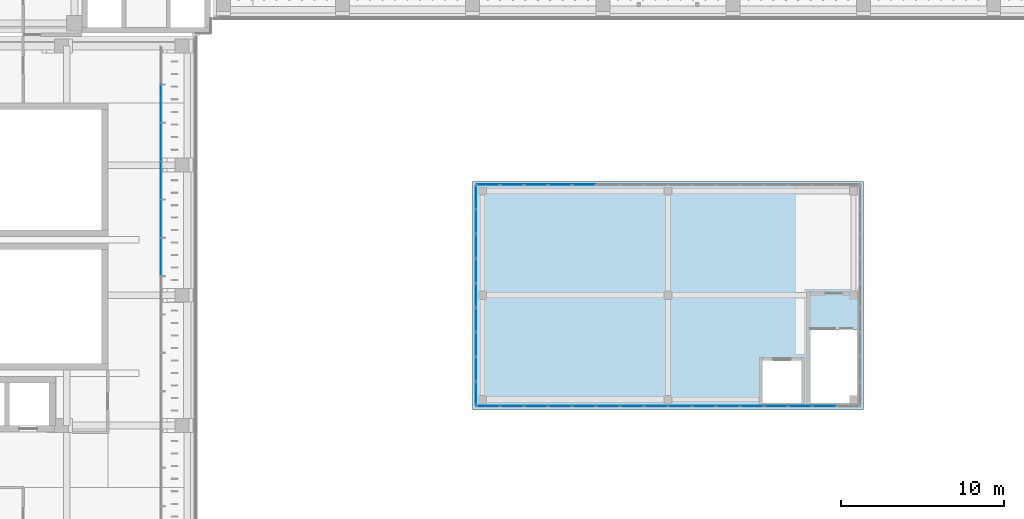
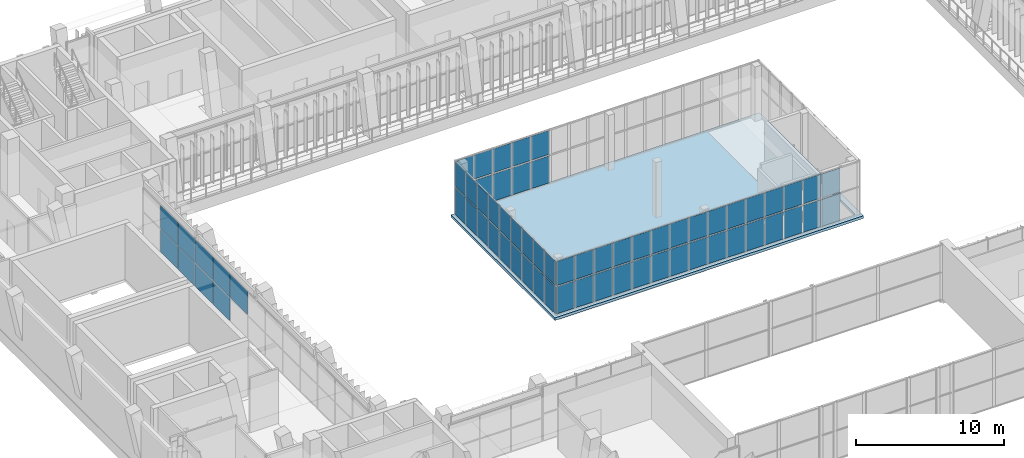
# One storey, part 54 of 92: 67 plates, 1 slab, 4 elements without a shape of their own.
"""IFC4 building model written with IfcOpenShell, lengths in metres."""

from ifc_helpers import new_model, si_unit, direction, frame, origin, origin_2d, place, context, subcontext, project, spatial, polyline, rectangle, outline, extrude, material, layer, layer_set, type_object, element, aggregate, save


model = new_model("IFC4")

# Units and contexts
model_context = context("Model", 3, precision=1e-05, world=origin(), true_north=direction((0.0, 1.0)))
body_context = subcontext(model_context, "Body", "Model", "MODEL_VIEW")
ifc_project = project(units=[si_unit("LENGTHUNIT", "METRE"), si_unit("AREAUNIT", "SQUARE_METRE"), si_unit("VOLUMEUNIT", "CUBIC_METRE"), si_unit("PLANEANGLEUNIT", "RADIAN"), si_unit("MASSUNIT", "GRAM", prefix="KILO")], contexts=[model_context])

# Site, building, storey
site_placement = place(None, origin())
site = spatial("IfcSite", under=ifc_project, at=site_placement, CompositionType="ELEMENT")
building_placement = place(site_placement, origin())
building = spatial("IfcBuilding", under=site, at=building_placement, Name="Lantern Court Media Centre", CompositionType="ELEMENT")
storey_placement = place(building_placement, frame((0.0, 0.0, 4.800048828125)))
storey = spatial("IfcBuildingStorey", under=building, at=storey_placement, Name="L01", CompositionType="ELEMENT", Elevation=4.800048828125)

# Curtain wall, plates
ifc_material_1 = material(Name="Curtain wall bay 2400")
curtain_wall_type_1 = type_object("IfcCurtainWallType", Name="Curtain wall bay 2400", PredefinedType="NOTDEFINED", material=ifc_material_1)
curtain_wall_1_placement = place(storey_placement, origin())
curtain_wall_1 = element("IfcCurtainWall", 1, at=curtain_wall_1_placement, inside=storey, type_object=curtain_wall_type_1, Name="Curtain wall W inner L01", PredefinedType="NOTDEFINED")
ifc_material_2 = material(Name="Low-iron double glazed unit glass", Category="glass")
ifc_layer_1 = layer(ifc_material_2, 0.02392578125)
ifc_layer_set_1 = layer_set([ifc_layer_1], Name="Low-iron double glazed unit glass")
plate_type_1 = type_object("IfcPlateType", Name="Curtain wall glazing unit 24", PredefinedType="CURTAIN_PANEL", material=ifc_layer_set_1)
plate_1_placement = place(storey_placement, frame((20.85009765625, 82.353759765625, 2.0), z_axis=(0.0, 0.0, 1.0), x_axis=(0.0, 1.0, 0.0)))
plate_1 = element("IfcPlate", 2, at=plate_1_placement, type_object=plate_type_1, Name="CW2 panel 8.2", PredefinedType="CURTAIN_PANEL", context=body_context, shape_type="SweptSolid", body=[
    extrude(rectangle(XDim=2.303955078125, YDim=0.02392578125, at=origin_2d()), origin(), (0.0, 0.0, 1.0), 1.89990234375),
])
plate_2_placement = place(storey_placement, frame((20.85009765625, 84.707763671875, 0.050048828125), z_axis=(0.0, 0.0, 1.0), x_axis=(0.0, 1.0, 0.0)))
plate_2 = element("IfcPlate", 3, at=plate_2_placement, type_object=plate_type_1, Name="CW2 panel 9.1", PredefinedType="CURTAIN_PANEL", context=body_context, shape_type="SweptSolid", body=[
    extrude(rectangle(XDim=2.303955078125, YDim=0.02392578125, at=origin_2d()), origin(), (0.0, 0.0, 1.0), 1.89990234375),
])
plate_3_placement = place(storey_placement, frame((20.85009765625, 84.707763671875, 2.0), z_axis=(0.0, 0.0, 1.0), x_axis=(0.0, 1.0, 0.0)))
plate_3 = element("IfcPlate", 4, at=plate_3_placement, type_object=plate_type_1, Name="CW2 panel 9.2", PredefinedType="CURTAIN_PANEL", context=body_context, shape_type="SweptSolid", body=[
    extrude(rectangle(XDim=2.303955078125, YDim=0.02392578125, at=origin_2d()), origin(), (0.0, 0.0, 1.0), 1.89990234375),
])
plate_4_placement = place(storey_placement, frame((20.85009765625, 87.0615234375, 0.050048828125), z_axis=(0.0, 0.0, 1.0), x_axis=(0.0, 1.0, 0.0)))
plate_4 = element("IfcPlate", 5, at=plate_4_placement, type_object=plate_type_1, Name="CW2 panel 10.1", PredefinedType="CURTAIN_PANEL", context=body_context, shape_type="SweptSolid", body=[
    extrude(rectangle(XDim=2.303955078125, YDim=0.02392578125, at=origin_2d()), origin(), (0.0, 0.0, 1.0), 1.89990234375),
])
plate_5_placement = place(storey_placement, frame((20.85009765625, 87.0615234375, 2.0), z_axis=(0.0, 0.0, 1.0), x_axis=(0.0, 1.0, 0.0)))
plate_5 = element("IfcPlate", 6, at=plate_5_placement, type_object=plate_type_1, Name="CW2 panel 10.2", PredefinedType="CURTAIN_PANEL", context=body_context, shape_type="SweptSolid", body=[
    extrude(rectangle(XDim=2.303955078125, YDim=0.02392578125, at=origin_2d()), origin(), (0.0, 0.0, 1.0), 1.89990234375),
])
plate_6_placement = place(storey_placement, frame((20.85009765625, 89.415283203125, 0.050048828125), z_axis=(0.0, 0.0, 1.0), x_axis=(0.0, 1.0, 0.0)))
plate_6 = element("IfcPlate", 7, at=plate_6_placement, type_object=plate_type_1, Name="CW2 panel 11.1", PredefinedType="CURTAIN_PANEL", context=body_context, shape_type="SweptSolid", body=[
    extrude(rectangle(XDim=2.303955078125, YDim=0.02392578125, at=origin_2d()), origin(), (0.0, 0.0, 1.0), 1.89990234375),
])
plate_7_placement = place(storey_placement, frame((20.85009765625, 89.415283203125, 2.0), z_axis=(0.0, 0.0, 1.0), x_axis=(0.0, 1.0, 0.0)))
plate_7 = element("IfcPlate", 8, at=plate_7_placement, type_object=plate_type_1, Name="CW2 panel 11.2", PredefinedType="CURTAIN_PANEL", context=body_context, shape_type="SweptSolid", body=[
    extrude(rectangle(XDim=2.303955078125, YDim=0.02392578125, at=origin_2d()), origin(), (0.0, 0.0, 1.0), 1.89990234375),
])
plate_8_placement = place(storey_placement, frame((20.85009765625, 91.769287109375, 0.050048828125), z_axis=(0.0, 0.0, 1.0), x_axis=(0.0, 1.0, 0.0)))
plate_8 = element("IfcPlate", 9, at=plate_8_placement, type_object=plate_type_1, Name="CW2 panel 12.1", PredefinedType="CURTAIN_PANEL", context=body_context, shape_type="SweptSolid", body=[
    extrude(rectangle(XDim=2.303955078125, YDim=0.02392578125, at=origin_2d()), origin(), (0.0, 0.0, 1.0), 1.89990234375),
])
plate_9_placement = place(storey_placement, frame((20.85009765625, 91.769287109375, 2.0), z_axis=(0.0, 0.0, 1.0), x_axis=(0.0, 1.0, 0.0)))
plate_9 = element("IfcPlate", 10, at=plate_9_placement, type_object=plate_type_1, Name="CW2 panel 12.2", PredefinedType="CURTAIN_PANEL", context=body_context, shape_type="SweptSolid", body=[
    extrude(rectangle(XDim=2.303955078125, YDim=0.02392578125, at=origin_2d()), origin(), (0.0, 0.0, 1.0), 1.89990234375),
])
aggregate(curtain_wall_1, [plate_1, plate_2, plate_3, plate_4, plate_5, plate_6, plate_7, plate_8, plate_9])

ifc_material_3 = material(Name="Aluminium and glass", Category="aluminium")
ifc_layer_2 = layer(ifc_material_3, 0.14990234375)
ifc_layer_set_2 = layer_set([ifc_layer_2], Name="Aluminium and glass")
curtain_wall_type_2 = type_object("IfcCurtainWallType", Name="Hall lancet glazing", PredefinedType="NOTDEFINED", material=ifc_layer_set_2)
curtain_wall_2_placement = place(storey_placement, origin())
curtain_wall_2 = element("IfcCurtainWall", 11, at=curtain_wall_2_placement, inside=storey, type_object=curtain_wall_type_2, Name="Press box glazing S 3", PredefinedType="NOTDEFINED")
ifc_material_4 = material(Name="Laminated glass 6+6", Category="glass")
ifc_layer_3 = layer(ifc_material_4, 0.028076171875)
ifc_layer_set_3 = layer_set([ifc_layer_3], Name="Laminated glass 6+6")
plate_type_2 = type_object("IfcPlateType", Name="HP", PredefinedType="CURTAIN_PANEL", material=ifc_layer_set_3)
plate_10_placement = place(storey_placement, frame((40.952392578125, 73.199951171875, 0.1201171875), z_axis=(0.0, 0.0, 1.0), x_axis=(1.0, 0.0, 0.0)))
plate_10 = element("IfcPlate", 12, at=plate_10_placement, type_object=plate_type_2, Name="HCW-PS3 panel 1.1", PredefinedType="CURTAIN_PANEL", context=body_context, shape_type="SweptSolid", body=[
    extrude(rectangle(XDim=1.385009765625, YDim=0.028076171875, at=origin_2d()), origin(), (0.0, 0.0, 1.0), 2.219970703125),
])
plate_11_placement = place(storey_placement, frame((40.952392578125, 73.199951171875, 2.4599609375), z_axis=(0.0, 0.0, 1.0), x_axis=(1.0, 0.0, 0.0)))
plate_11 = element("IfcPlate", 13, at=plate_11_placement, type_object=plate_type_2, Name="HCW-PS3 panel 1.2", PredefinedType="CURTAIN_PANEL", context=body_context, shape_type="SweptSolid", body=[
    extrude(rectangle(XDim=1.385009765625, YDim=0.028076171875, at=origin_2d()), origin(), (0.0, 0.0, 1.0), 1.969970703125),
])
plate_12_placement = place(storey_placement, frame((42.41259765625, 73.199951171875, 0.1201171875), z_axis=(0.0, 0.0, 1.0), x_axis=(1.0, 0.0, 0.0)))
plate_12 = element("IfcPlate", 14, at=plate_12_placement, type_object=plate_type_2, Name="HCW-PS3 panel 2.1", PredefinedType="CURTAIN_PANEL", context=body_context, shape_type="SweptSolid", body=[
    extrude(rectangle(XDim=1.4150390625, YDim=0.028076171875, at=origin_2d()), origin(), (0.0, 0.0, 1.0), 2.219970703125),
])
plate_13_placement = place(storey_placement, frame((42.41259765625, 73.199951171875, 2.4599609375), z_axis=(0.0, 0.0, 1.0), x_axis=(1.0, 0.0, 0.0)))
plate_13 = element("IfcPlate", 15, at=plate_13_placement, type_object=plate_type_2, Name="HCW-PS3 panel 2.2", PredefinedType="CURTAIN_PANEL", context=body_context, shape_type="SweptSolid", body=[
    extrude(rectangle(XDim=1.4150390625, YDim=0.028076171875, at=origin_2d()), origin(), (0.0, 0.0, 1.0), 1.969970703125),
])
plate_14_placement = place(storey_placement, frame((43.887451171875, 73.199951171875, 0.1201171875), z_axis=(0.0, 0.0, 1.0), x_axis=(1.0, 0.0, 0.0)))
plate_14 = element("IfcPlate", 16, at=plate_14_placement, type_object=plate_type_2, Name="HCW-PS3 panel 3.1", PredefinedType="CURTAIN_PANEL", context=body_context, shape_type="SweptSolid", body=[
    extrude(rectangle(XDim=1.4150390625, YDim=0.028076171875, at=origin_2d()), origin(), (0.0, 0.0, 1.0), 2.219970703125),
])
plate_15_placement = place(storey_placement, frame((43.887451171875, 73.199951171875, 2.4599609375), z_axis=(0.0, 0.0, 1.0), x_axis=(1.0, 0.0, 0.0)))
plate_15 = element("IfcPlate", 17, at=plate_15_placement, type_object=plate_type_2, Name="HCW-PS3 panel 3.2", PredefinedType="CURTAIN_PANEL", context=body_context, shape_type="SweptSolid", body=[
    extrude(rectangle(XDim=1.4150390625, YDim=0.028076171875, at=origin_2d()), origin(), (0.0, 0.0, 1.0), 1.969970703125),
])
plate_16_placement = place(storey_placement, frame((45.362548828125, 73.199951171875, 0.1201171875), z_axis=(0.0, 0.0, 1.0), x_axis=(1.0, 0.0, 0.0)))
plate_16 = element("IfcPlate", 18, at=plate_16_placement, type_object=plate_type_2, Name="HCW-PS3 panel 4.1", PredefinedType="CURTAIN_PANEL", context=body_context, shape_type="SweptSolid", body=[
    extrude(rectangle(XDim=1.4150390625, YDim=0.028076171875, at=origin_2d()), origin(), (0.0, 0.0, 1.0), 2.219970703125),
])
plate_17_placement = place(storey_placement, frame((45.362548828125, 73.199951171875, 2.4599609375), z_axis=(0.0, 0.0, 1.0), x_axis=(1.0, 0.0, 0.0)))
plate_17 = element("IfcPlate", 19, at=plate_17_placement, type_object=plate_type_2, Name="HCW-PS3 panel 4.2", PredefinedType="CURTAIN_PANEL", context=body_context, shape_type="SweptSolid", body=[
    extrude(rectangle(XDim=1.4150390625, YDim=0.028076171875, at=origin_2d()), origin(), (0.0, 0.0, 1.0), 1.969970703125),
])
plate_18_placement = place(storey_placement, frame((46.83740234375, 73.199951171875, 0.1201171875), z_axis=(0.0, 0.0, 1.0), x_axis=(1.0, 0.0, 0.0)))
plate_18 = element("IfcPlate", 20, at=plate_18_placement, type_object=plate_type_2, Name="HCW-PS3 panel 5.1", PredefinedType="CURTAIN_PANEL", context=body_context, shape_type="SweptSolid", body=[
    extrude(rectangle(XDim=1.4150390625, YDim=0.028076171875, at=origin_2d()), origin(), (0.0, 0.0, 1.0), 2.219970703125),
])
plate_19_placement = place(storey_placement, frame((46.83740234375, 73.199951171875, 2.4599609375), z_axis=(0.0, 0.0, 1.0), x_axis=(1.0, 0.0, 0.0)))
plate_19 = element("IfcPlate", 21, at=plate_19_placement, type_object=plate_type_2, Name="HCW-PS3 panel 5.2", PredefinedType="CURTAIN_PANEL", context=body_context, shape_type="SweptSolid", body=[
    extrude(rectangle(XDim=1.4150390625, YDim=0.028076171875, at=origin_2d()), origin(), (0.0, 0.0, 1.0), 1.969970703125),
])
plate_20_placement = place(storey_placement, frame((48.3125, 73.199951171875, 0.1201171875), z_axis=(0.0, 0.0, 1.0), x_axis=(1.0, 0.0, 0.0)))
plate_20 = element("IfcPlate", 22, at=plate_20_placement, type_object=plate_type_2, Name="HCW-PS3 panel 6.1", PredefinedType="CURTAIN_PANEL", context=body_context, shape_type="SweptSolid", body=[
    extrude(rectangle(XDim=1.4150390625, YDim=0.028076171875, at=origin_2d()), origin(), (0.0, 0.0, 1.0), 2.219970703125),
])
plate_21_placement = place(storey_placement, frame((48.3125, 73.199951171875, 2.4599609375), z_axis=(0.0, 0.0, 1.0), x_axis=(1.0, 0.0, 0.0)))
plate_21 = element("IfcPlate", 23, at=plate_21_placement, type_object=plate_type_2, Name="HCW-PS3 panel 6.2", PredefinedType="CURTAIN_PANEL", context=body_context, shape_type="SweptSolid", body=[
    extrude(rectangle(XDim=1.4150390625, YDim=0.028076171875, at=origin_2d()), origin(), (0.0, 0.0, 1.0), 1.969970703125),
])
plate_22_placement = place(storey_placement, frame((49.78759765625, 73.199951171875, 0.1201171875), z_axis=(0.0, 0.0, 1.0), x_axis=(1.0, 0.0, 0.0)))
plate_22 = element("IfcPlate", 24, at=plate_22_placement, type_object=plate_type_2, Name="HCW-PS3 panel 7.1", PredefinedType="CURTAIN_PANEL", context=body_context, shape_type="SweptSolid", body=[
    extrude(rectangle(XDim=1.4150390625, YDim=0.028076171875, at=origin_2d()), origin(), (0.0, 0.0, 1.0), 2.219970703125),
])
plate_23_placement = place(storey_placement, frame((49.78759765625, 73.199951171875, 2.4599609375), z_axis=(0.0, 0.0, 1.0), x_axis=(1.0, 0.0, 0.0)))
plate_23 = element("IfcPlate", 25, at=plate_23_placement, type_object=plate_type_2, Name="HCW-PS3 panel 7.2", PredefinedType="CURTAIN_PANEL", context=body_context, shape_type="SweptSolid", body=[
    extrude(rectangle(XDim=1.4150390625, YDim=0.028076171875, at=origin_2d()), origin(), (0.0, 0.0, 1.0), 1.969970703125),
])
plate_24_placement = place(storey_placement, frame((51.262451171875, 73.199951171875, 0.1201171875), z_axis=(0.0, 0.0, 1.0), x_axis=(1.0, 0.0, 0.0)))
plate_24 = element("IfcPlate", 26, at=plate_24_placement, type_object=plate_type_2, Name="HCW-PS3 panel 8.1", PredefinedType="CURTAIN_PANEL", context=body_context, shape_type="SweptSolid", body=[
    extrude(rectangle(XDim=1.4150390625, YDim=0.028076171875, at=origin_2d()), origin(), (0.0, 0.0, 1.0), 2.219970703125),
])
plate_25_placement = place(storey_placement, frame((51.262451171875, 73.199951171875, 2.4599609375), z_axis=(0.0, 0.0, 1.0), x_axis=(1.0, 0.0, 0.0)))
plate_25 = element("IfcPlate", 27, at=plate_25_placement, type_object=plate_type_2, Name="HCW-PS3 panel 8.2", PredefinedType="CURTAIN_PANEL", context=body_context, shape_type="SweptSolid", body=[
    extrude(rectangle(XDim=1.4150390625, YDim=0.028076171875, at=origin_2d()), origin(), (0.0, 0.0, 1.0), 1.969970703125),
])
plate_26_placement = place(storey_placement, frame((52.737548828125, 73.199951171875, 0.1201171875), z_axis=(0.0, 0.0, 1.0), x_axis=(1.0, 0.0, 0.0)))
plate_26 = element("IfcPlate", 28, at=plate_26_placement, type_object=plate_type_2, Name="HCW-PS3 panel 9.1", PredefinedType="CURTAIN_PANEL", context=body_context, shape_type="SweptSolid", body=[
    extrude(rectangle(XDim=1.4150390625, YDim=0.028076171875, at=origin_2d()), origin(), (0.0, 0.0, 1.0), 2.219970703125),
])
plate_27_placement = place(storey_placement, frame((52.737548828125, 73.199951171875, 2.4599609375), z_axis=(0.0, 0.0, 1.0), x_axis=(1.0, 0.0, 0.0)))
plate_27 = element("IfcPlate", 29, at=plate_27_placement, type_object=plate_type_2, Name="HCW-PS3 panel 9.2", PredefinedType="CURTAIN_PANEL", context=body_context, shape_type="SweptSolid", body=[
    extrude(rectangle(XDim=1.4150390625, YDim=0.028076171875, at=origin_2d()), origin(), (0.0, 0.0, 1.0), 1.969970703125),
])
plate_28_placement = place(storey_placement, frame((54.21240234375, 73.199951171875, 0.1201171875), z_axis=(0.0, 0.0, 1.0), x_axis=(1.0, 0.0, 0.0)))
plate_28 = element("IfcPlate", 30, at=plate_28_placement, type_object=plate_type_2, Name="HCW-PS3 panel 10.1", PredefinedType="CURTAIN_PANEL", context=body_context, shape_type="SweptSolid", body=[
    extrude(rectangle(XDim=1.4150390625, YDim=0.028076171875, at=origin_2d()), origin(), (0.0, 0.0, 1.0), 2.219970703125),
])
plate_29_placement = place(storey_placement, frame((54.21240234375, 73.199951171875, 2.4599609375), z_axis=(0.0, 0.0, 1.0), x_axis=(1.0, 0.0, 0.0)))
plate_29 = element("IfcPlate", 31, at=plate_29_placement, type_object=plate_type_2, Name="HCW-PS3 panel 10.2", PredefinedType="CURTAIN_PANEL", context=body_context, shape_type="SweptSolid", body=[
    extrude(rectangle(XDim=1.4150390625, YDim=0.028076171875, at=origin_2d()), origin(), (0.0, 0.0, 1.0), 1.969970703125),
])
plate_30_placement = place(storey_placement, frame((55.6875, 73.199951171875, 0.1201171875), z_axis=(0.0, 0.0, 1.0), x_axis=(1.0, 0.0, 0.0)))
plate_30 = element("IfcPlate", 32, at=plate_30_placement, type_object=plate_type_2, Name="HCW-PS3 panel 11.1", PredefinedType="CURTAIN_PANEL", context=body_context, shape_type="SweptSolid", body=[
    extrude(rectangle(XDim=1.4150390625, YDim=0.028076171875, at=origin_2d()), origin(), (0.0, 0.0, 1.0), 2.219970703125),
])
plate_31_placement = place(storey_placement, frame((55.6875, 73.199951171875, 2.4599609375), z_axis=(0.0, 0.0, 1.0), x_axis=(1.0, 0.0, 0.0)))
plate_31 = element("IfcPlate", 33, at=plate_31_placement, type_object=plate_type_2, Name="HCW-PS3 panel 11.2", PredefinedType="CURTAIN_PANEL", context=body_context, shape_type="SweptSolid", body=[
    extrude(rectangle(XDim=1.4150390625, YDim=0.028076171875, at=origin_2d()), origin(), (0.0, 0.0, 1.0), 1.969970703125),
])
plate_32_placement = place(storey_placement, frame((57.16259765625, 73.199951171875, 0.1201171875), z_axis=(0.0, 0.0, 1.0), x_axis=(1.0, 0.0, 0.0)))
plate_32 = element("IfcPlate", 34, at=plate_32_placement, type_object=plate_type_2, Name="HCW-PS3 panel 12.1", PredefinedType="CURTAIN_PANEL", context=body_context, shape_type="SweptSolid", body=[
    extrude(rectangle(XDim=1.4150390625, YDim=0.028076171875, at=origin_2d()), origin(), (0.0, 0.0, 1.0), 2.219970703125),
])
plate_33_placement = place(storey_placement, frame((57.16259765625, 73.199951171875, 2.4599609375), z_axis=(0.0, 0.0, 1.0), x_axis=(1.0, 0.0, 0.0)))
plate_33 = element("IfcPlate", 35, at=plate_33_placement, type_object=plate_type_2, Name="HCW-PS3 panel 12.2", PredefinedType="CURTAIN_PANEL", context=body_context, shape_type="SweptSolid", body=[
    extrude(rectangle(XDim=1.4150390625, YDim=0.028076171875, at=origin_2d()), origin(), (0.0, 0.0, 1.0), 1.969970703125),
])
plate_34_placement = place(storey_placement, frame((58.637451171875, 73.199951171875, 0.1201171875), z_axis=(0.0, 0.0, 1.0), x_axis=(1.0, 0.0, 0.0)))
plate_34 = element("IfcPlate", 36, at=plate_34_placement, type_object=plate_type_2, Name="HCW-PS3 panel 13.1", PredefinedType="CURTAIN_PANEL", context=body_context, shape_type="SweptSolid", body=[
    extrude(rectangle(XDim=1.4150390625, YDim=0.028076171875, at=origin_2d()), origin(), (0.0, 0.0, 1.0), 2.219970703125),
])
plate_35_placement = place(storey_placement, frame((58.637451171875, 73.199951171875, 2.4599609375), z_axis=(0.0, 0.0, 1.0), x_axis=(1.0, 0.0, 0.0)))
plate_35 = element("IfcPlate", 37, at=plate_35_placement, type_object=plate_type_2, Name="HCW-PS3 panel 13.2", PredefinedType="CURTAIN_PANEL", context=body_context, shape_type="SweptSolid", body=[
    extrude(rectangle(XDim=1.4150390625, YDim=0.028076171875, at=origin_2d()), origin(), (0.0, 0.0, 1.0), 1.969970703125),
])
plate_36_placement = place(storey_placement, frame((60.112548828125, 73.199951171875, 0.1201171875), z_axis=(0.0, 0.0, 1.0), x_axis=(1.0, 0.0, 0.0)))
plate_36 = element("IfcPlate", 38, at=plate_36_placement, type_object=plate_type_2, Name="HCW-PS3 panel 14.1", PredefinedType="CURTAIN_PANEL", context=body_context, shape_type="SweptSolid", body=[
    extrude(rectangle(XDim=1.4150390625, YDim=0.028076171875, at=origin_2d()), origin(), (0.0, 0.0, 1.0), 2.219970703125),
])
plate_37_placement = place(storey_placement, frame((60.112548828125, 73.199951171875, 2.4599609375), z_axis=(0.0, 0.0, 1.0), x_axis=(1.0, 0.0, 0.0)))
plate_37 = element("IfcPlate", 39, at=plate_37_placement, type_object=plate_type_2, Name="HCW-PS3 panel 14.2", PredefinedType="CURTAIN_PANEL", context=body_context, shape_type="SweptSolid", body=[
    extrude(rectangle(XDim=1.4150390625, YDim=0.028076171875, at=origin_2d()), origin(), (0.0, 0.0, 1.0), 1.969970703125),
])
plate_38_placement = place(storey_placement, frame((61.58740234375, 73.199951171875, 0.1201171875), z_axis=(0.0, 0.0, 1.0), x_axis=(1.0, 0.0, 0.0)))
plate_38 = element("IfcPlate", 40, at=plate_38_placement, type_object=plate_type_2, Name="HCW-PS3 panel 15.1", PredefinedType="CURTAIN_PANEL", context=body_context, shape_type="SweptSolid", body=[
    extrude(rectangle(XDim=1.4150390625, YDim=0.028076171875, at=origin_2d()), origin(), (0.0, 0.0, 1.0), 2.219970703125),
])
plate_39_placement = place(storey_placement, frame((61.58740234375, 73.199951171875, 2.4599609375), z_axis=(0.0, 0.0, 1.0), x_axis=(1.0, 0.0, 0.0)))
plate_39 = element("IfcPlate", 41, at=plate_39_placement, type_object=plate_type_2, Name="HCW-PS3 panel 15.2", PredefinedType="CURTAIN_PANEL", context=body_context, shape_type="SweptSolid", body=[
    extrude(rectangle(XDim=1.4150390625, YDim=0.028076171875, at=origin_2d()), origin(), (0.0, 0.0, 1.0), 1.969970703125),
])
aggregate(curtain_wall_2, [plate_10, plate_11, plate_12, plate_13, plate_14, plate_15, plate_16, plate_17, plate_18, plate_19, plate_20, plate_21, plate_22, plate_23, plate_24, plate_25, plate_26, plate_27, plate_28, plate_29, plate_30, plate_31, plate_32, plate_33, plate_34, plate_35, plate_36, plate_37, plate_38, plate_39])

curtain_wall_3_placement = place(storey_placement, origin())
curtain_wall_3 = element("IfcCurtainWall", 42, at=curtain_wall_3_placement, inside=storey, type_object=curtain_wall_type_2, Name="Press box glazing N 3", PredefinedType="NOTDEFINED")
plate_40_placement = place(storey_placement, frame((40.952392578125, 86.800048828125, 0.1201171875), z_axis=(0.0, 0.0, 1.0), x_axis=(1.0, 0.0, 0.0)))
plate_40 = element("IfcPlate", 43, at=plate_40_placement, type_object=plate_type_2, Name="HCW-PN3 panel 1.1", PredefinedType="CURTAIN_PANEL", context=body_context, shape_type="SweptSolid", body=[
    extrude(rectangle(XDim=1.385009765625, YDim=0.028076171875, at=origin_2d()), origin(), (0.0, 0.0, 1.0), 2.219970703125),
])
plate_41_placement = place(storey_placement, frame((40.952392578125, 86.800048828125, 2.4599609375), z_axis=(0.0, 0.0, 1.0), x_axis=(1.0, 0.0, 0.0)))
plate_41 = element("IfcPlate", 44, at=plate_41_placement, type_object=plate_type_2, Name="HCW-PN3 panel 1.2", PredefinedType="CURTAIN_PANEL", context=body_context, shape_type="SweptSolid", body=[
    extrude(rectangle(XDim=1.385009765625, YDim=0.028076171875, at=origin_2d()), origin(), (0.0, 0.0, 1.0), 1.969970703125),
])
plate_42_placement = place(storey_placement, frame((42.41259765625, 86.800048828125, 0.1201171875), z_axis=(0.0, 0.0, 1.0), x_axis=(1.0, 0.0, 0.0)))
plate_42 = element("IfcPlate", 45, at=plate_42_placement, type_object=plate_type_2, Name="HCW-PN3 panel 2.1", PredefinedType="CURTAIN_PANEL", context=body_context, shape_type="SweptSolid", body=[
    extrude(rectangle(XDim=1.4150390625, YDim=0.028076171875, at=origin_2d()), origin(), (0.0, 0.0, 1.0), 2.219970703125),
])
plate_43_placement = place(storey_placement, frame((42.41259765625, 86.800048828125, 2.4599609375), z_axis=(0.0, 0.0, 1.0), x_axis=(1.0, 0.0, 0.0)))
plate_43 = element("IfcPlate", 46, at=plate_43_placement, type_object=plate_type_2, Name="HCW-PN3 panel 2.2", PredefinedType="CURTAIN_PANEL", context=body_context, shape_type="SweptSolid", body=[
    extrude(rectangle(XDim=1.4150390625, YDim=0.028076171875, at=origin_2d()), origin(), (0.0, 0.0, 1.0), 1.969970703125),
])
plate_44_placement = place(storey_placement, frame((43.887451171875, 86.800048828125, 0.1201171875), z_axis=(0.0, 0.0, 1.0), x_axis=(1.0, 0.0, 0.0)))
plate_44 = element("IfcPlate", 47, at=plate_44_placement, type_object=plate_type_2, Name="HCW-PN3 panel 3.1", PredefinedType="CURTAIN_PANEL", context=body_context, shape_type="SweptSolid", body=[
    extrude(rectangle(XDim=1.4150390625, YDim=0.028076171875, at=origin_2d()), origin(), (0.0, 0.0, 1.0), 2.219970703125),
])
plate_45_placement = place(storey_placement, frame((43.887451171875, 86.800048828125, 2.4599609375), z_axis=(0.0, 0.0, 1.0), x_axis=(1.0, 0.0, 0.0)))
plate_45 = element("IfcPlate", 48, at=plate_45_placement, type_object=plate_type_2, Name="HCW-PN3 panel 3.2", PredefinedType="CURTAIN_PANEL", context=body_context, shape_type="SweptSolid", body=[
    extrude(rectangle(XDim=1.4150390625, YDim=0.028076171875, at=origin_2d()), origin(), (0.0, 0.0, 1.0), 1.969970703125),
])
plate_46_placement = place(storey_placement, frame((45.362548828125, 86.800048828125, 0.1201171875), z_axis=(0.0, 0.0, 1.0), x_axis=(1.0, 0.0, 0.0)))
plate_46 = element("IfcPlate", 49, at=plate_46_placement, type_object=plate_type_2, Name="HCW-PN3 panel 4.1", PredefinedType="CURTAIN_PANEL", context=body_context, shape_type="SweptSolid", body=[
    extrude(rectangle(XDim=1.4150390625, YDim=0.028076171875, at=origin_2d()), origin(), (0.0, 0.0, 1.0), 2.219970703125),
])
plate_47_placement = place(storey_placement, frame((45.362548828125, 86.800048828125, 2.4599609375), z_axis=(0.0, 0.0, 1.0), x_axis=(1.0, 0.0, 0.0)))
plate_47 = element("IfcPlate", 50, at=plate_47_placement, type_object=plate_type_2, Name="HCW-PN3 panel 4.2", PredefinedType="CURTAIN_PANEL", context=body_context, shape_type="SweptSolid", body=[
    extrude(rectangle(XDim=1.4150390625, YDim=0.028076171875, at=origin_2d()), origin(), (0.0, 0.0, 1.0), 1.969970703125),
])
plate_48_placement = place(storey_placement, frame((46.83740234375, 86.800048828125, 0.1201171875), z_axis=(0.0, 0.0, 1.0), x_axis=(1.0, 0.0, 0.0)))
plate_48 = element("IfcPlate", 51, at=plate_48_placement, type_object=plate_type_2, Name="HCW-PN3 panel 5.1", PredefinedType="CURTAIN_PANEL", context=body_context, shape_type="SweptSolid", body=[
    extrude(rectangle(XDim=1.4150390625, YDim=0.028076171875, at=origin_2d()), origin(), (0.0, 0.0, 1.0), 2.219970703125),
])
plate_49_placement = place(storey_placement, frame((46.83740234375, 86.800048828125, 2.4599609375), z_axis=(0.0, 0.0, 1.0), x_axis=(1.0, 0.0, 0.0)))
plate_49 = element("IfcPlate", 52, at=plate_49_placement, type_object=plate_type_2, Name="HCW-PN3 panel 5.2", PredefinedType="CURTAIN_PANEL", context=body_context, shape_type="SweptSolid", body=[
    extrude(rectangle(XDim=1.4150390625, YDim=0.028076171875, at=origin_2d()), origin(), (0.0, 0.0, 1.0), 1.969970703125),
])
aggregate(curtain_wall_3, [plate_40, plate_41, plate_42, plate_43, plate_44, plate_45, plate_46, plate_47, plate_48, plate_49])

curtain_wall_4_placement = place(storey_placement, origin())
curtain_wall_4 = element("IfcCurtainWall", 53, at=curtain_wall_4_placement, inside=storey, type_object=curtain_wall_type_2, Name="Press box glazing W 3", PredefinedType="NOTDEFINED")
plate_50_placement = place(storey_placement, frame((40.199951171875, 73.970458984375, 0.1201171875), z_axis=(0.0, 0.0, 1.0), x_axis=(0.0, 1.0, 0.0)))
plate_50 = element("IfcPlate", 54, at=plate_50_placement, type_object=plate_type_2, Name="HCW-PW3 panel 1.1", PredefinedType="CURTAIN_PANEL", context=body_context, shape_type="SweptSolid", body=[
    extrude(rectangle(XDim=1.421142578125, YDim=0.028076171875, at=origin_2d()), origin(), (0.0, 0.0, 1.0), 2.219970703125),
])
plate_51_placement = place(storey_placement, frame((40.199951171875, 73.970458984375, 2.4599609375), z_axis=(0.0, 0.0, 1.0), x_axis=(0.0, 1.0, 0.0)))
plate_51 = element("IfcPlate", 55, at=plate_51_placement, type_object=plate_type_2, Name="HCW-PW3 panel 1.2", PredefinedType="CURTAIN_PANEL", context=body_context, shape_type="SweptSolid", body=[
    extrude(rectangle(XDim=1.421142578125, YDim=0.028076171875, at=origin_2d()), origin(), (0.0, 0.0, 1.0), 1.969970703125),
])
plate_52_placement = place(storey_placement, frame((40.199951171875, 75.466552734375, 0.1201171875), z_axis=(0.0, 0.0, 1.0), x_axis=(0.0, 1.0, 0.0)))
plate_52 = element("IfcPlate", 56, at=plate_52_placement, type_object=plate_type_2, Name="HCW-PW3 panel 2.1", PredefinedType="CURTAIN_PANEL", context=body_context, shape_type="SweptSolid", body=[
    extrude(rectangle(XDim=1.451171875, YDim=0.028076171875, at=origin_2d()), origin(), (0.0, 0.0, 1.0), 2.219970703125),
])
plate_53_placement = place(storey_placement, frame((40.199951171875, 75.466552734375, 2.4599609375), z_axis=(0.0, 0.0, 1.0), x_axis=(0.0, 1.0, 0.0)))
plate_53 = element("IfcPlate", 57, at=plate_53_placement, type_object=plate_type_2, Name="HCW-PW3 panel 2.2", PredefinedType="CURTAIN_PANEL", context=body_context, shape_type="SweptSolid", body=[
    extrude(rectangle(XDim=1.451171875, YDim=0.028076171875, at=origin_2d()), origin(), (0.0, 0.0, 1.0), 1.969970703125),
])
plate_54_placement = place(storey_placement, frame((40.199951171875, 76.977783203125, 0.1201171875), z_axis=(0.0, 0.0, 1.0), x_axis=(0.0, 1.0, 0.0)))
plate_54 = element("IfcPlate", 58, at=plate_54_placement, type_object=plate_type_2, Name="HCW-PW3 panel 3.1", PredefinedType="CURTAIN_PANEL", context=body_context, shape_type="SweptSolid", body=[
    extrude(rectangle(XDim=1.451171875, YDim=0.028076171875, at=origin_2d()), origin(), (0.0, 0.0, 1.0), 2.219970703125),
])
plate_55_placement = place(storey_placement, frame((40.199951171875, 76.977783203125, 2.4599609375), z_axis=(0.0, 0.0, 1.0), x_axis=(0.0, 1.0, 0.0)))
plate_55 = element("IfcPlate", 59, at=plate_55_placement, type_object=plate_type_2, Name="HCW-PW3 panel 3.2", PredefinedType="CURTAIN_PANEL", context=body_context, shape_type="SweptSolid", body=[
    extrude(rectangle(XDim=1.451171875, YDim=0.028076171875, at=origin_2d()), origin(), (0.0, 0.0, 1.0), 1.969970703125),
])
plate_56_placement = place(storey_placement, frame((40.199951171875, 78.48876953125, 0.1201171875), z_axis=(0.0, 0.0, 1.0), x_axis=(0.0, 1.0, 0.0)))
plate_56 = element("IfcPlate", 60, at=plate_56_placement, type_object=plate_type_2, Name="HCW-PW3 panel 4.1", PredefinedType="CURTAIN_PANEL", context=body_context, shape_type="SweptSolid", body=[
    extrude(rectangle(XDim=1.451171875, YDim=0.028076171875, at=origin_2d()), origin(), (0.0, 0.0, 1.0), 2.219970703125),
])
plate_57_placement = place(storey_placement, frame((40.199951171875, 78.48876953125, 2.4599609375), z_axis=(0.0, 0.0, 1.0), x_axis=(0.0, 1.0, 0.0)))
plate_57 = element("IfcPlate", 61, at=plate_57_placement, type_object=plate_type_2, Name="HCW-PW3 panel 4.2", PredefinedType="CURTAIN_PANEL", context=body_context, shape_type="SweptSolid", body=[
    extrude(rectangle(XDim=1.451171875, YDim=0.028076171875, at=origin_2d()), origin(), (0.0, 0.0, 1.0), 1.969970703125),
])
plate_58_placement = place(storey_placement, frame((40.199951171875, 80.0, 0.1201171875), z_axis=(0.0, 0.0, 1.0), x_axis=(0.0, 1.0, 0.0)))
plate_58 = element("IfcPlate", 62, at=plate_58_placement, type_object=plate_type_2, Name="HCW-PW3 panel 5.1", PredefinedType="CURTAIN_PANEL", context=body_context, shape_type="SweptSolid", body=[
    extrude(rectangle(XDim=1.451171875, YDim=0.028076171875, at=origin_2d()), origin(), (0.0, 0.0, 1.0), 2.219970703125),
])
plate_59_placement = place(storey_placement, frame((40.199951171875, 80.0, 2.4599609375), z_axis=(0.0, 0.0, 1.0), x_axis=(0.0, 1.0, 0.0)))
plate_59 = element("IfcPlate", 63, at=plate_59_placement, type_object=plate_type_2, Name="HCW-PW3 panel 5.2", PredefinedType="CURTAIN_PANEL", context=body_context, shape_type="SweptSolid", body=[
    extrude(rectangle(XDim=1.451171875, YDim=0.028076171875, at=origin_2d()), origin(), (0.0, 0.0, 1.0), 1.969970703125),
])
plate_60_placement = place(storey_placement, frame((40.199951171875, 81.51123046875, 0.1201171875), z_axis=(0.0, 0.0, 1.0), x_axis=(0.0, 1.0, 0.0)))
plate_60 = element("IfcPlate", 64, at=plate_60_placement, type_object=plate_type_2, Name="HCW-PW3 panel 6.1", PredefinedType="CURTAIN_PANEL", context=body_context, shape_type="SweptSolid", body=[
    extrude(rectangle(XDim=1.451171875, YDim=0.028076171875, at=origin_2d()), origin(), (0.0, 0.0, 1.0), 2.219970703125),
])
plate_61_placement = place(storey_placement, frame((40.199951171875, 81.51123046875, 2.4599609375), z_axis=(0.0, 0.0, 1.0), x_axis=(0.0, 1.0, 0.0)))
plate_61 = element("IfcPlate", 65, at=plate_61_placement, type_object=plate_type_2, Name="HCW-PW3 panel 6.2", PredefinedType="CURTAIN_PANEL", context=body_context, shape_type="SweptSolid", body=[
    extrude(rectangle(XDim=1.451171875, YDim=0.028076171875, at=origin_2d()), origin(), (0.0, 0.0, 1.0), 1.969970703125),
])
plate_62_placement = place(storey_placement, frame((40.199951171875, 83.022216796875, 0.1201171875), z_axis=(0.0, 0.0, 1.0), x_axis=(0.0, 1.0, 0.0)))
plate_62 = element("IfcPlate", 66, at=plate_62_placement, type_object=plate_type_2, Name="HCW-PW3 panel 7.1", PredefinedType="CURTAIN_PANEL", context=body_context, shape_type="SweptSolid", body=[
    extrude(rectangle(XDim=1.451171875, YDim=0.028076171875, at=origin_2d()), origin(), (0.0, 0.0, 1.0), 2.219970703125),
])
plate_63_placement = place(storey_placement, frame((40.199951171875, 83.022216796875, 2.4599609375), z_axis=(0.0, 0.0, 1.0), x_axis=(0.0, 1.0, 0.0)))
plate_63 = element("IfcPlate", 67, at=plate_63_placement, type_object=plate_type_2, Name="HCW-PW3 panel 7.2", PredefinedType="CURTAIN_PANEL", context=body_context, shape_type="SweptSolid", body=[
    extrude(rectangle(XDim=1.451171875, YDim=0.028076171875, at=origin_2d()), origin(), (0.0, 0.0, 1.0), 1.969970703125),
])
plate_64_placement = place(storey_placement, frame((40.199951171875, 84.533447265625, 0.1201171875), z_axis=(0.0, 0.0, 1.0), x_axis=(0.0, 1.0, 0.0)))
plate_64 = element("IfcPlate", 68, at=plate_64_placement, type_object=plate_type_2, Name="HCW-PW3 panel 8.1", PredefinedType="CURTAIN_PANEL", context=body_context, shape_type="SweptSolid", body=[
    extrude(rectangle(XDim=1.451171875, YDim=0.028076171875, at=origin_2d()), origin(), (0.0, 0.0, 1.0), 2.219970703125),
])
plate_65_placement = place(storey_placement, frame((40.199951171875, 84.533447265625, 2.4599609375), z_axis=(0.0, 0.0, 1.0), x_axis=(0.0, 1.0, 0.0)))
plate_65 = element("IfcPlate", 69, at=plate_65_placement, type_object=plate_type_2, Name="HCW-PW3 panel 8.2", PredefinedType="CURTAIN_PANEL", context=body_context, shape_type="SweptSolid", body=[
    extrude(rectangle(XDim=1.451171875, YDim=0.028076171875, at=origin_2d()), origin(), (0.0, 0.0, 1.0), 1.969970703125),
])
plate_66_placement = place(storey_placement, frame((40.199951171875, 86.029541015625, 0.1201171875), z_axis=(0.0, 0.0, 1.0), x_axis=(0.0, 1.0, 0.0)))
plate_66 = element("IfcPlate", 70, at=plate_66_placement, type_object=plate_type_2, Name="HCW-PW3 panel 9.1", PredefinedType="CURTAIN_PANEL", context=body_context, shape_type="SweptSolid", body=[
    extrude(rectangle(XDim=1.421142578125, YDim=0.028076171875, at=origin_2d()), origin(), (0.0, 0.0, 1.0), 2.219970703125),
])
plate_67_placement = place(storey_placement, frame((40.199951171875, 86.029541015625, 2.4599609375), z_axis=(0.0, 0.0, 1.0), x_axis=(0.0, 1.0, 0.0)))
plate_67 = element("IfcPlate", 71, at=plate_67_placement, type_object=plate_type_2, Name="HCW-PW3 panel 9.2", PredefinedType="CURTAIN_PANEL", context=body_context, shape_type="SweptSolid", body=[
    extrude(rectangle(XDim=1.421142578125, YDim=0.028076171875, at=origin_2d()), origin(), (0.0, 0.0, 1.0), 1.969970703125),
])
aggregate(curtain_wall_4, [plate_50, plate_51, plate_52, plate_53, plate_54, plate_55, plate_56, plate_57, plate_58, plate_59, plate_60, plate_61, plate_62, plate_63, plate_64, plate_65, plate_66, plate_67])

# Slab
ifc_material_5 = material(Name="Concrete C35", Category="concrete")
ifc_layer_4 = layer(ifc_material_5, 0.219970703125)
ifc_layer_set_4 = layer_set([ifc_layer_4], Name="Concrete C35")
slab_type = type_object("IfcSlabType", Name="RC FLOOR SLAB 220", PredefinedType="FLOOR", material=ifc_layer_set_4)
slab_placement = place(storey_placement, frame((0.0, 0.0, -0.219970703125)))
element("IfcSlab", 72, at=slab_placement, inside=storey, type_object=slab_type, Name="SL-PRESS-L01", PredefinedType="FLOOR", context=body_context, shape_type="SweptSolid", body=[
    extrude(outline(polyline([(40.0, 73.0), (40.0, 87.0), (64.0, 87.0), (64.0, 73.0), (40.0, 73.0)]), holes=[polyline([(57.800048828125, 73.39990234375), (60.199951171875, 73.39990234375), (60.199951171875, 76.0), (57.800048828125, 76.0), (57.800048828125, 73.39990234375)]), polyline([(60.75048828125, 77.899658203125), (60.75048828125, 73.400390625), (63.599609375, 73.400390625), (63.599609375, 77.899658203125), (60.75048828125, 77.899658203125)])]), origin(), (0.0, 0.0, 1.0), 0.219970703125),
])

save(model, "model.ifc")
